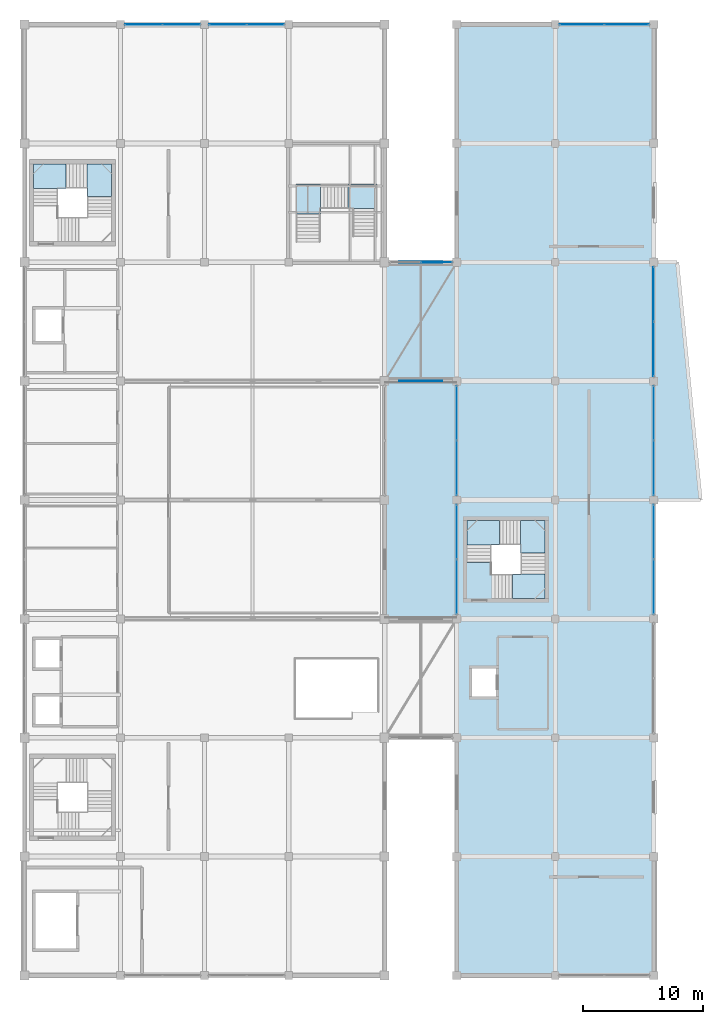
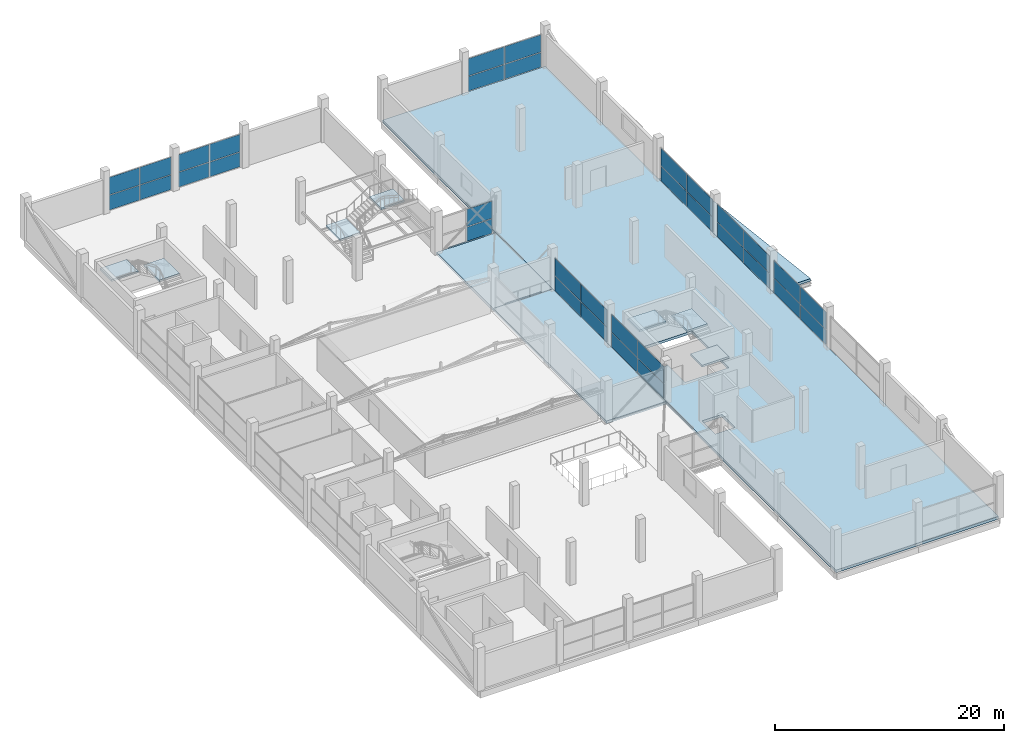
# One storey, part 53 of 69: 36 plates, 11 slabs, 12 elements without a shape of their own.
"""IFC4 building model written with IfcOpenShell, lengths in metres."""

import ifcopenshell
import ifcopenshell.guid

model = None  # the IFC model being written
_history = None  # IfcOwnerHistory: only IFC2X3 demands one
_inside = {}  # id of a spatial element -> (the spatial element, [elements in it])
_under = {}  # id of a project, library or spatial element -> (it, [spatial elements below it])
_declared = {}  # id of a project -> (the project, [libraries it declares])
_typed = {}  # id of a type object -> (the type object, [elements of that type])
_made_of = {}  # id of a material, layer set ... -> (it, [elements and type objects made of it])


def new_model(schema):
    """Start an empty IFC model of exactly this schema.

    Asked for "IFC4X3", IfcOpenShell would pick the latest addendum, in which some entities
    have other attributes; the version numbers below select the first issue.
    IFC2X3 requires an IfcOwnerHistory on every rooted entity: one is made here for all.
    """
    global model, _history
    if schema == "IFC4X3":
        model = ifcopenshell.file(schema_version=(4, 3, 0, 0))
    else:
        model = ifcopenshell.file(schema=schema)
    _inside.clear()
    _under.clear()
    _declared.clear()
    _typed.clear()
    _made_of.clear()
    _history = None
    if model.schema == "IFC2X3":
        org = make("IfcOrganization", Name="unknown")
        user = make(
            "IfcPersonAndOrganization",
            ThePerson=make("IfcPerson", FamilyName="unknown"),
            TheOrganization=org,
        )
        app = make(
            "IfcApplication",
            ApplicationDeveloper=org,
            Version="unknown",
            ApplicationFullName="unknown",
            ApplicationIdentifier="unknown",
        )
        _history = make(
            "IfcOwnerHistory",
            OwningUser=user,
            OwningApplication=app,
            ChangeAction="ADDED",
            CreationDate=0,
        )
    return model


def make(cls, **values):
    """One entity of the class cls with the attributes given. An attribute that is None is left unset."""
    return model.create_entity(
        cls, **{name: value for name, value in values.items() if value is not None}
    )


def rooted(cls, **values):
    """An entity with a GlobalId (a new one), such as an element, a storey or a relation."""
    return make(cls, GlobalId=ifcopenshell.guid.new(), OwnerHistory=_history, **values)


def si_unit(unit_type, name, prefix=None):
    """IfcSIUnit, for example si_unit("LENGTHUNIT", "METRE", prefix="MILLI")."""
    return make("IfcSIUnit", UnitType=unit_type, Prefix=prefix, Name=name)


def assignment(units):
    """IfcUnitAssignment: the units of a project."""
    return None if units is None else make("IfcUnitAssignment", Units=units)


def point(xyz):
    """IfcCartesianPoint."""
    return None if xyz is None else make("IfcCartesianPoint", Coordinates=xyz)


def direction(xyz):
    """IfcDirection."""
    return None if xyz is None else make("IfcDirection", DirectionRatios=xyz)


def frame(location, z_axis=None, x_axis=None):
    """IfcAxis2Placement3D, a coordinate frame: its origin and axes. An axis left out is left unset."""
    return make(
        "IfcAxis2Placement3D",
        Location=point(location),
        Axis=direction(z_axis),
        RefDirection=direction(x_axis),
    )


def frame_2d(location, x_axis=None):
    """IfcAxis2Placement2D, a coordinate frame in the plane: its origin and x axis."""
    return make(
        "IfcAxis2Placement2D", Location=point(location), RefDirection=direction(x_axis)
    )


def origin():
    """The frame at (0, 0, 0) with its axes left unset."""
    return frame((0.0, 0.0, 0.0))


def origin_2d():
    """The frame at (0, 0) in the plane with its x axis left unset."""
    return frame_2d((0.0, 0.0))


def place(relative_to, where):
    """IfcLocalPlacement: puts the frame where relative to a parent placement (None: the world)."""
    return make(
        "IfcLocalPlacement", PlacementRelTo=relative_to, RelativePlacement=where
    )


def context(
    kind, dimensions, precision=None, world=None, true_north=None, identifier=None
):
    """IfcGeometricRepresentationContext, for example the 3D "Model" context."""
    return make(
        "IfcGeometricRepresentationContext",
        ContextIdentifier=identifier,
        ContextType=kind,
        CoordinateSpaceDimension=dimensions,
        Precision=precision,
        WorldCoordinateSystem=world,
        TrueNorth=true_north,
    )


def subcontext(parent, identifier, kind, view, scale=None):
    """IfcGeometricRepresentationSubContext, for example "Body" below "Model"."""
    return make(
        "IfcGeometricRepresentationSubContext",
        ContextIdentifier=identifier,
        ContextType=kind,
        ParentContext=parent,
        TargetScale=scale,
        TargetView=view,
    )


def project(units=None, contexts=None):
    """IfcProject with its units and contexts."""
    return rooted(
        "IfcProject",
        Name="project",
        RepresentationContexts=contexts,
        UnitsInContext=assignment(units),
    )


def spatial(cls, under=None, at=None, **own):
    """A site, building, storey or space (cls), placed at a placement, below another one or the project."""
    s = rooted(cls, ObjectPlacement=at, **own)
    if under is not None:
        _under.setdefault(under.id(), (under, []))[1].append(s)
    return s


def polyline(points):
    """IfcPolyline through the points."""
    return make("IfcPolyline", Points=[point(p) for p in points])


def profile(cls, at=None, kind="AREA", **sizes):
    """A parametric profile (cls). Its sizes go by their IFC names, for example OverallWidth=200.0."""
    return make(cls, ProfileType=kind, Position=at, **sizes)


def rectangle(**sizes):
    """IfcRectangleProfileDef."""
    return profile("IfcRectangleProfileDef", **sizes)


def outline(outer, holes=None, kind="AREA"):
    """IfcArbitraryClosedProfileDef: a profile drawn as a closed curve; with holes, ...WithVoids."""
    if holes is None:
        return make("IfcArbitraryClosedProfileDef", ProfileType=kind, OuterCurve=outer)
    return make(
        "IfcArbitraryProfileDefWithVoids",
        ProfileType=kind,
        OuterCurve=outer,
        InnerCurves=holes,
    )


def extrude(swept, where, along, depth):
    """IfcExtrudedAreaSolid: the profile swept, set in the frame where, extruded along a direction by depth."""
    return make(
        "IfcExtrudedAreaSolid",
        SweptArea=swept,
        Position=where,
        ExtrudedDirection=direction(along),
        Depth=depth,
    )


def shape(context_of_items, identifier, shape_type, items):
    """IfcShapeRepresentation: the items that make up one representation, for example the "Body"."""
    return make(
        "IfcShapeRepresentation",
        ContextOfItems=context_of_items,
        RepresentationIdentifier=identifier,
        RepresentationType=shape_type,
        Items=items,
    )


def material(Name=None, Category=None):
    """IfcMaterial."""
    return make("IfcMaterial", Name=Name, Category=Category)


def layer(
    of_material, thickness, ventilated=None, Name=None, Category=None, Priority=None
):
    """IfcMaterialLayer: one layer of a wall or slab, of a material (None: an air gap)."""
    return make(
        "IfcMaterialLayer",
        Material=of_material,
        LayerThickness=thickness,
        IsVentilated=ventilated,
        Name=Name,
        Category=Category,
        Priority=Priority,
    )


def layer_set(layers, Name=None):
    """IfcMaterialLayerSet."""
    return make("IfcMaterialLayerSet", MaterialLayers=layers, LayerSetName=Name)


def made_of(thing, what):
    """Note that an element or type object is made of a material, layer set ...; save() writes the relation."""
    if what is not None:
        _made_of.setdefault(what.id(), (what, []))[1].append(thing)
    return thing


def type_object(cls, material=None, **own):
    """A type object (cls), such as IfcWallType, which elements share."""
    return made_of(rooted(cls, **own), material)


def element(
    cls,
    number,
    at=None,
    inside=None,
    cuts=None,
    type_object=None,
    material=None,
    context=None,
    identifier="Body",
    shape_type=None,
    held_by="IfcProductDefinitionShape",
    body=None,
    shapes=None,
    **own,
):
    """One element of the class cls, such as IfcWall. Its Tag is "e" and its number.

    at: its placement. inside: the storey or other place that contains it. cuts: it is an
    opening in that element (IfcRelVoidsElement). A single representation is given by context,
    identifier, shape_type and body (its items); several are given by shapes. held_by: the class
    of the entity that holds the representations. save() writes the other relations.
    """
    e = rooted(cls, Tag="e%d" % number, ObjectPlacement=at, **own)
    if body is not None:
        shapes = [shape(context, identifier, shape_type, body)]
    if shapes is not None:
        e.Representation = make(held_by, Representations=shapes)
    if inside is not None:
        _inside.setdefault(inside.id(), (inside, []))[1].append(e)
    if cuts is not None:
        rooted(
            "IfcRelVoidsElement", RelatingBuildingElement=cuts, RelatedOpeningElement=e
        )
    if type_object is not None:
        _typed.setdefault(type_object.id(), (type_object, []))[1].append(e)
    return made_of(e, material)


def aggregate(whole, parts):
    """IfcRelAggregates: a whole, such as a stair, and the parts it consists of."""
    return rooted("IfcRelAggregates", RelatingObject=whole, RelatedObjects=parts)


def save(model, path):
    """Write the relations noted so far, then the file.

    IfcRelAggregates (storeys below a building ...), IfcRelContainedInSpatialStructure (elements
    in a storey), IfcRelDefinesByType, IfcRelAssociatesMaterial and IfcRelDeclares: one each for
    every whole, place, type object, material and project.
    """
    for whole, parts in _under.values():
        aggregate(whole, parts)
    for where, things in _inside.values():
        rooted(
            "IfcRelContainedInSpatialStructure",
            RelatedElements=things,
            RelatingStructure=where,
        )
    for kind, things in _typed.values():
        rooted("IfcRelDefinesByType", RelatedObjects=things, RelatingType=kind)
    for what, things in _made_of.values():
        rooted("IfcRelAssociatesMaterial", RelatedObjects=things, RelatingMaterial=what)
    for by, libraries in _declared.values():
        rooted("IfcRelDeclares", RelatingContext=by, RelatedDefinitions=libraries)
    model.write(path)


model = new_model("IFC4")

# Units and contexts
model_context = context("Model", 3, precision=1e-05, world=origin(), true_north=direction((0.0, 1.0)))
body_context = subcontext(model_context, "Body", "Model", "MODEL_VIEW")
ifc_project = project(units=[si_unit("LENGTHUNIT", "METRE"), si_unit("AREAUNIT", "SQUARE_METRE"), si_unit("VOLUMEUNIT", "CUBIC_METRE"), si_unit("PLANEANGLEUNIT", "RADIAN"), si_unit("MASSUNIT", "GRAM", prefix="KILO")], contexts=[model_context])

# Site, building, storey
site_placement = place(None, origin())
site = spatial("IfcSite", under=ifc_project, at=site_placement, CompositionType="ELEMENT")
building_placement = place(site_placement, origin())
building = spatial("IfcBuilding", under=site, at=building_placement, Name="Sillaruma Civic Art Gallery", CompositionType="ELEMENT")
storey_placement = place(building_placement, frame((0.0, 0.0, 42.330078125)))
storey = spatial("IfcBuildingStorey", under=building, at=storey_placement, Name="L08", CompositionType="ELEMENT", Elevation=42.330078125)

# Plates
ifc_material_1 = material(Name="Anodised Zinc-Aluminium Alloy", Category="aluminium")
ifc_layer_1 = layer(ifc_material_1, 0.044921875, Name="Anodised Zinc-Aluminium Alloy")
ifc_layer_set_1 = layer_set([ifc_layer_1], Name="Anodised Zinc-Aluminium Alloy")
plate_type_1 = type_object("IfcPlateType", Name="PLT-FAS-01", PredefinedType="USERDEFINED", material=ifc_layer_set_1)
for number, where, z_axis, x_axis, name in (
    (1, (95.0, 69.300048828125, -0.47021484375), (0.0, 0.0, 1.0), (1.0, 0.0, 0.0), "Sky-Bridge Fascia Cassette (BRG-N:L08:S)"),
    (2, (95.0, 79.199951171875, -0.47021484375), (0.0, 0.0, 1.0), (1.0, 0.0, 0.0), "Sky-Bridge Fascia Cassette (BRG-N:L08:N)"),
):
    element("IfcPlate", number, at=place(storey_placement, frame(where, z_axis=z_axis, x_axis=x_axis)), inside=storey, type_object=plate_type_1, Name=name, ObjectType="FASCIA CASSETTE", PredefinedType="USERDEFINED", context=body_context, shape_type="SweptSolid", body=[
        extrude(rectangle(XDim=3.60009765625, YDim=0.044921875, at=origin_2d()), origin(), (0.0, 0.0, 1.0), 0.580078125),
    ])

# Curtain wall, plates
ifc_material_2 = material(Name="Thermally Broken Extruded Aluminium 6063-T6", Category="aluminium")
ifc_layer_2 = layer(ifc_material_2, 0.139892578125, Name="Thermally Broken Extruded Aluminium 6063-T6")
ifc_layer_set_2 = layer_set([ifc_layer_2], Name="Thermally Broken Extruded Aluminium 6063-T6")
curtain_wall_type_1 = type_object("IfcCurtainWallType", Name="CW-UNI-56", PredefinedType="NOTDEFINED", material=ifc_layer_set_2)
curtain_wall_1_placement = place(storey_placement, origin())
curtain_wall_1 = element("IfcCurtainWall", 3, at=curtain_wall_1_placement, inside=storey, type_object=curtain_wall_type_1, Name="Unitised Curtain Wall CW-56 (CW-L08-WBN-2)", PredefinedType="NOTDEFINED")
ifc_material_3 = material(Name="Low-E UV-Filtered Laminated Insulating Glass", Category="glass")
ifc_layer_3 = layer(ifc_material_3, 0.028076171875, Name="Low-E UV-Filtered Laminated Insulating Glass")
ifc_layer_set_3 = layer_set([ifc_layer_3], Name="Low-E UV-Filtered Laminated Insulating Glass")
plate_type_2 = type_object("IfcPlateType", Name="PNL-GLZ-28", PredefinedType="CURTAIN_PANEL", material=ifc_layer_set_3)
plate_1_placement = place(storey_placement, frame((71.927490234375, 99.0, 0.06005859375), z_axis=(0.0, 0.0, 1.0), x_axis=(1.0, 0.0, 0.0)))
plate_1 = element("IfcPlate", 4, at=plate_1_placement, type_object=plate_type_2, Name="CW-56 panel 1.1", PredefinedType="CURTAIN_PANEL", context=body_context, shape_type="SweptSolid", body=[
    extrude(rectangle(XDim=3.0849609375, YDim=0.028076171875, at=origin_2d()), origin(), (0.0, 0.0, 1.0), 1.561279296875),
])
plate_2_placement = place(storey_placement, frame((71.927490234375, 99.0, 1.681396484375), z_axis=(0.0, 0.0, 1.0), x_axis=(1.0, 0.0, 0.0)))
plate_2 = element("IfcPlate", 5, at=plate_2_placement, type_object=plate_type_2, Name="CW-56 panel 1.2", PredefinedType="CURTAIN_PANEL", context=body_context, shape_type="SweptSolid", body=[
    extrude(rectangle(XDim=3.0849609375, YDim=0.028076171875, at=origin_2d()), origin(), (0.0, 0.0, 1.0), 1.8486328125),
])
plate_3_placement = place(storey_placement, frame((75.072509765625, 99.0, 0.06005859375), z_axis=(0.0, 0.0, 1.0), x_axis=(1.0, 0.0, 0.0)))
plate_3 = element("IfcPlate", 6, at=plate_3_placement, type_object=plate_type_2, Name="CW-56 panel 2.1", PredefinedType="CURTAIN_PANEL", context=body_context, shape_type="SweptSolid", body=[
    extrude(rectangle(XDim=3.0849609375, YDim=0.028076171875, at=origin_2d()), origin(), (0.0, 0.0, 1.0), 1.561279296875),
])
plate_4_placement = place(storey_placement, frame((75.072509765625, 99.0, 1.681396484375), z_axis=(0.0, 0.0, 1.0), x_axis=(1.0, 0.0, 0.0)))
plate_4 = element("IfcPlate", 7, at=plate_4_placement, type_object=plate_type_2, Name="CW-56 panel 2.2", PredefinedType="CURTAIN_PANEL", context=body_context, shape_type="SweptSolid", body=[
    extrude(rectangle(XDim=3.0849609375, YDim=0.028076171875, at=origin_2d()), origin(), (0.0, 0.0, 1.0), 1.8486328125),
])
aggregate(curtain_wall_1, [plate_1, plate_2, plate_3, plate_4])

ifc_layer_4 = layer(ifc_material_2, 0.139892578125, Name="Thermally Broken Extruded Aluminium 6063-T6")
ifc_layer_set_4 = layer_set([ifc_layer_4], Name="Thermally Broken Extruded Aluminium 6063-T6")
curtain_wall_type_2 = type_object("IfcCurtainWallType", Name="CW-UNI-32", PredefinedType="NOTDEFINED", material=ifc_layer_set_4)
curtain_wall_2_placement = place(storey_placement, origin())
curtain_wall_2 = element("IfcCurtainWall", 8, at=curtain_wall_2_placement, inside=storey, type_object=curtain_wall_type_2, Name="Unitised Curtain Wall CW-32 (CW-L08-EBE-5)", PredefinedType="NOTDEFINED")
plate_5_placement = place(storey_placement, frame((114.39990234375, 62.06494140625, 0.06005859375), z_axis=(0.0, 0.0, 1.0), x_axis=(0.0, 1.0, 0.0)))
plate_5 = element("IfcPlate", 9, at=plate_5_placement, type_object=plate_type_2, Name="CW-32 panel 1.1", PredefinedType="CURTAIN_PANEL", context=body_context, shape_type="SweptSolid", body=[
    extrude(rectangle(XDim=4.510009765625, YDim=0.028076171875, at=origin_2d()), origin(), (0.0, 0.0, 1.0), 1.561279296875),
])
plate_6_placement = place(storey_placement, frame((114.39990234375, 62.06494140625, 1.681396484375), z_axis=(0.0, 0.0, 1.0), x_axis=(0.0, 1.0, 0.0)))
plate_6 = element("IfcPlate", 10, at=plate_6_placement, type_object=plate_type_2, Name="CW-32 panel 1.2", PredefinedType="CURTAIN_PANEL", context=body_context, shape_type="SweptSolid", body=[
    extrude(rectangle(XDim=4.510009765625, YDim=0.028076171875, at=origin_2d()), origin(), (0.0, 0.0, 1.0), 1.8486328125),
])
plate_7_placement = place(storey_placement, frame((114.39990234375, 66.635009765625, 0.06005859375), z_axis=(0.0, 0.0, 1.0), x_axis=(0.0, 1.0, 0.0)))
plate_7 = element("IfcPlate", 11, at=plate_7_placement, type_object=plate_type_2, Name="CW-32 panel 2.1", PredefinedType="CURTAIN_PANEL", context=body_context, shape_type="SweptSolid", body=[
    extrude(rectangle(XDim=4.510009765625, YDim=0.028076171875, at=origin_2d()), origin(), (0.0, 0.0, 1.0), 1.561279296875),
])
plate_8_placement = place(storey_placement, frame((114.39990234375, 66.635009765625, 1.681396484375), z_axis=(0.0, 0.0, 1.0), x_axis=(0.0, 1.0, 0.0)))
plate_8 = element("IfcPlate", 12, at=plate_8_placement, type_object=plate_type_2, Name="CW-32 panel 2.2", PredefinedType="CURTAIN_PANEL", context=body_context, shape_type="SweptSolid", body=[
    extrude(rectangle(XDim=4.510009765625, YDim=0.028076171875, at=origin_2d()), origin(), (0.0, 0.0, 1.0), 1.8486328125),
])
aggregate(curtain_wall_2, [plate_5, plate_6, plate_7, plate_8])

ifc_layer_5 = layer(ifc_material_2, 0.159912109375, Name="Thermally Broken Extruded Aluminium 6063-T6")
ifc_layer_set_5 = layer_set([ifc_layer_5], Name="Thermally Broken Extruded Aluminium 6063-T6")
curtain_wall_type_3 = type_object("IfcCurtainWallType", Name="CW-UNI-35", PredefinedType="NOTDEFINED", material=ifc_layer_set_5)
curtain_wall_3_placement = place(storey_placement, origin())
curtain_wall_3 = element("IfcCurtainWall", 13, at=curtain_wall_3_placement, inside=storey, type_object=curtain_wall_type_3, Name="Unitised Curtain Wall CW-35 (CW-L08-EBW-4)", PredefinedType="NOTDEFINED")
ifc_layer_6 = layer(ifc_material_3, 0.030029296875, Name="Low-E UV-Filtered Laminated Insulating Glass")
ifc_layer_set_6 = layer_set([ifc_layer_6], Name="Low-E UV-Filtered Laminated Insulating Glass")
plate_type_3 = type_object("IfcPlateType", Name="PNL-GLZ-30", PredefinedType="CURTAIN_PANEL", material=ifc_layer_set_6)
plate_9_placement = place(storey_placement, frame((98.0, 52.166259765625, 0.06005859375), z_axis=(0.0, 0.0, 1.0), x_axis=(0.0, 1.0, 0.0)))
plate_9 = element("IfcPlate", 14, at=plate_9_placement, type_object=plate_type_3, Name="CW-35 panel 1.1", PredefinedType="CURTAIN_PANEL", context=body_context, shape_type="SweptSolid", body=[
    extrude(rectangle(XDim=4.50244140625, YDim=0.030029296875, at=origin_2d()), origin(), (0.0, 0.0, 1.0), 1.561279296875),
])
plate_10_placement = place(storey_placement, frame((98.0, 52.166259765625, 1.681396484375), z_axis=(0.0, 0.0, 1.0), x_axis=(0.0, 1.0, 0.0)))
plate_10 = element("IfcPlate", 15, at=plate_10_placement, type_object=plate_type_3, Name="CW-35 panel 1.2", PredefinedType="CURTAIN_PANEL", context=body_context, shape_type="SweptSolid", body=[
    extrude(rectangle(XDim=4.50244140625, YDim=0.030029296875, at=origin_2d()), origin(), (0.0, 0.0, 1.0), 1.8486328125),
])
plate_11_placement = place(storey_placement, frame((98.0, 56.733642578125, 0.06005859375), z_axis=(0.0, 0.0, 1.0), x_axis=(0.0, 1.0, 0.0)))
plate_11 = element("IfcPlate", 16, at=plate_11_placement, type_object=plate_type_3, Name="CW-35 panel 2.1", PredefinedType="CURTAIN_PANEL", context=body_context, shape_type="SweptSolid", body=[
    extrude(rectangle(XDim=4.50244140625, YDim=0.030029296875, at=origin_2d()), origin(), (0.0, 0.0, 1.0), 1.561279296875),
])
plate_12_placement = place(storey_placement, frame((98.0, 56.733642578125, 1.681396484375), z_axis=(0.0, 0.0, 1.0), x_axis=(0.0, 1.0, 0.0)))
plate_12 = element("IfcPlate", 17, at=plate_12_placement, type_object=plate_type_3, Name="CW-35 panel 2.2", PredefinedType="CURTAIN_PANEL", context=body_context, shape_type="SweptSolid", body=[
    extrude(rectangle(XDim=4.50244140625, YDim=0.030029296875, at=origin_2d()), origin(), (0.0, 0.0, 1.0), 1.8486328125),
])
aggregate(curtain_wall_3, [plate_9, plate_10, plate_11, plate_12])

ifc_layer_7 = layer(ifc_material_2, 0.159912109375, Name="Thermally Broken Extruded Aluminium 6063-T6")
ifc_layer_set_7 = layer_set([ifc_layer_7], Name="Thermally Broken Extruded Aluminium 6063-T6")
curtain_wall_type_4 = type_object("IfcCurtainWallType", Name="CW-UNI-30", PredefinedType="NOTDEFINED", material=ifc_layer_set_7)
curtain_wall_4_placement = place(storey_placement, origin())
curtain_wall_4 = element("IfcCurtainWall", 18, at=curtain_wall_4_placement, inside=storey, type_object=curtain_wall_type_4, Name="Unitised Curtain Wall CW-30 (CW-L08-EBE-4)", PredefinedType="NOTDEFINED")
ifc_layer_8 = layer(ifc_material_3, 0.031982421875, Name="Low-E UV-Filtered Laminated Insulating Glass")
ifc_layer_set_8 = layer_set([ifc_layer_8], Name="Low-E UV-Filtered Laminated Insulating Glass")
plate_type_4 = type_object("IfcPlateType", Name="PNL-GLZ-32", PredefinedType="CURTAIN_PANEL", material=ifc_layer_set_8)
plate_13_placement = place(storey_placement, frame((114.39990234375, 52.166259765625, 0.06494140625), z_axis=(0.0, 0.0, 1.0), x_axis=(0.0, 1.0, 0.0)))
plate_13 = element("IfcPlate", 19, at=plate_13_placement, type_object=plate_type_4, Name="CW-30 panel 1.1", PredefinedType="CURTAIN_PANEL", context=body_context, shape_type="SweptSolid", body=[
    extrude(rectangle(XDim=4.50244140625, YDim=0.031982421875, at=origin_2d()), origin(), (0.0, 0.0, 1.0), 1.553955078125),
])
plate_14_placement = place(storey_placement, frame((114.39990234375, 52.166259765625, 1.68408203125), z_axis=(0.0, 0.0, 1.0), x_axis=(0.0, 1.0, 0.0)))
plate_14 = element("IfcPlate", 20, at=plate_14_placement, type_object=plate_type_4, Name="CW-30 panel 1.2", PredefinedType="CURTAIN_PANEL", context=body_context, shape_type="SweptSolid", body=[
    extrude(rectangle(XDim=4.50244140625, YDim=0.031982421875, at=origin_2d()), origin(), (0.0, 0.0, 1.0), 1.841064453125),
])
plate_15_placement = place(storey_placement, frame((114.39990234375, 56.733642578125, 0.06494140625), z_axis=(0.0, 0.0, 1.0), x_axis=(0.0, 1.0, 0.0)))
plate_15 = element("IfcPlate", 21, at=plate_15_placement, type_object=plate_type_4, Name="CW-30 panel 2.1", PredefinedType="CURTAIN_PANEL", context=body_context, shape_type="SweptSolid", body=[
    extrude(rectangle(XDim=4.50244140625, YDim=0.031982421875, at=origin_2d()), origin(), (0.0, 0.0, 1.0), 1.553955078125),
])
plate_16_placement = place(storey_placement, frame((114.39990234375, 56.733642578125, 1.68408203125), z_axis=(0.0, 0.0, 1.0), x_axis=(0.0, 1.0, 0.0)))
plate_16 = element("IfcPlate", 22, at=plate_16_placement, type_object=plate_type_4, Name="CW-30 panel 2.2", PredefinedType="CURTAIN_PANEL", context=body_context, shape_type="SweptSolid", body=[
    extrude(rectangle(XDim=4.50244140625, YDim=0.031982421875, at=origin_2d()), origin(), (0.0, 0.0, 1.0), 1.841064453125),
])
aggregate(curtain_wall_4, [plate_13, plate_14, plate_15, plate_16])

ifc_layer_9 = layer(ifc_material_2, 0.139892578125, Name="Thermally Broken Extruded Aluminium 6063-T6")
ifc_layer_set_9 = layer_set([ifc_layer_9], Name="Thermally Broken Extruded Aluminium 6063-T6")
curtain_wall_type_5 = type_object("IfcCurtainWallType", Name="CW-UNI-40", PredefinedType="NOTDEFINED", material=ifc_layer_set_9)
curtain_wall_5_placement = place(storey_placement, origin())
curtain_wall_5 = element("IfcCurtainWall", 23, at=curtain_wall_5_placement, inside=storey, type_object=curtain_wall_type_5, Name="Unitised Curtain Wall CW-40 (CW-L08-EBW-5)", PredefinedType="NOTDEFINED")
ifc_layer_10 = layer(ifc_material_3, 0.033935546875, Name="Low-E UV-Filtered Laminated Insulating Glass")
ifc_layer_set_10 = layer_set([ifc_layer_10], Name="Low-E UV-Filtered Laminated Insulating Glass")
plate_type_5 = type_object("IfcPlateType", Name="PNL-GLZ-34", PredefinedType="CURTAIN_PANEL", material=ifc_layer_set_10)
plate_17_placement = place(storey_placement, frame((98.0, 62.06494140625, 0.06494140625), z_axis=(0.0, 0.0, 1.0), x_axis=(0.0, 1.0, 0.0)))
plate_17 = element("IfcPlate", 24, at=plate_17_placement, type_object=plate_type_5, Name="CW-40 panel 1.1", PredefinedType="CURTAIN_PANEL", context=body_context, shape_type="SweptSolid", body=[
    extrude(rectangle(XDim=4.510009765625, YDim=0.033935546875, at=origin_2d()), origin(), (0.0, 0.0, 1.0), 1.553955078125),
])
plate_18_placement = place(storey_placement, frame((98.0, 62.06494140625, 1.68408203125), z_axis=(0.0, 0.0, 1.0), x_axis=(0.0, 1.0, 0.0)))
plate_18 = element("IfcPlate", 25, at=plate_18_placement, type_object=plate_type_5, Name="CW-40 panel 1.2", PredefinedType="CURTAIN_PANEL", context=body_context, shape_type="SweptSolid", body=[
    extrude(rectangle(XDim=4.510009765625, YDim=0.033935546875, at=origin_2d()), origin(), (0.0, 0.0, 1.0), 1.841064453125),
])
plate_19_placement = place(storey_placement, frame((98.0, 66.635009765625, 0.06494140625), z_axis=(0.0, 0.0, 1.0), x_axis=(0.0, 1.0, 0.0)))
plate_19 = element("IfcPlate", 26, at=plate_19_placement, type_object=plate_type_5, Name="CW-40 panel 2.1", PredefinedType="CURTAIN_PANEL", context=body_context, shape_type="SweptSolid", body=[
    extrude(rectangle(XDim=4.510009765625, YDim=0.033935546875, at=origin_2d()), origin(), (0.0, 0.0, 1.0), 1.553955078125),
])
plate_20_placement = place(storey_placement, frame((98.0, 66.635009765625, 1.68408203125), z_axis=(0.0, 0.0, 1.0), x_axis=(0.0, 1.0, 0.0)))
plate_20 = element("IfcPlate", 27, at=plate_20_placement, type_object=plate_type_5, Name="CW-40 panel 2.2", PredefinedType="CURTAIN_PANEL", context=body_context, shape_type="SweptSolid", body=[
    extrude(rectangle(XDim=4.510009765625, YDim=0.033935546875, at=origin_2d()), origin(), (0.0, 0.0, 1.0), 1.841064453125),
])
aggregate(curtain_wall_5, [plate_17, plate_18, plate_19, plate_20])

# Curtain wall, plate
ifc_layer_11 = layer(ifc_material_2, 0.179931640625, Name="Thermally Broken Extruded Aluminium 6063-T6")
ifc_layer_set_11 = layer_set([ifc_layer_11], Name="Thermally Broken Extruded Aluminium 6063-T6")
curtain_wall_type_6 = type_object("IfcCurtainWallType", Name="CW-UNI-60", PredefinedType="NOTDEFINED", material=ifc_layer_set_11)
curtain_wall_6_placement = place(storey_placement, origin())
curtain_wall_6 = element("IfcCurtainWall", 28, at=curtain_wall_6_placement, inside=storey, type_object=curtain_wall_type_6, Name="Unitised Curtain Wall CW-60 (CW-BRG-N-L08-N)", PredefinedType="NOTDEFINED")
ifc_layer_12 = layer(ifc_material_3, 0.035888671875, Name="Low-E UV-Filtered Laminated Insulating Glass")
ifc_layer_set_12 = layer_set([ifc_layer_12], Name="Low-E UV-Filtered Laminated Insulating Glass")
plate_type_6 = type_object("IfcPlateType", Name="PNL-GLZ-36", PredefinedType="CURTAIN_PANEL", material=ifc_layer_set_12)
plate_21_placement = place(storey_placement, frame((96.313720703125, 79.199951171875, 0.06982421875), z_axis=(0.0, 0.0, 1.0), x_axis=(1.0, 0.0, 0.0)))
plate_21 = element("IfcPlate", 29, at=plate_21_placement, type_object=plate_type_6, Name="CW-60 panel 2.1", PredefinedType="CURTAIN_PANEL", context=body_context, shape_type="SweptSolid", body=[
    extrude(rectangle(XDim=2.532470703125, YDim=0.035888671875, at=origin_2d()), origin(), (0.0, 0.0, 1.0), 1.54638671875),
])

# Curtain wall, plates
ifc_layer_13 = layer(ifc_material_2, 0.179931640625, Name="Thermally Broken Extruded Aluminium 6063-T6")
ifc_layer_set_13 = layer_set([ifc_layer_13], Name="Thermally Broken Extruded Aluminium 6063-T6")
curtain_wall_type_7 = type_object("IfcCurtainWallType", Name="CW-UNI-57", PredefinedType="NOTDEFINED", material=ifc_layer_set_13)
curtain_wall_7_placement = place(storey_placement, origin())
curtain_wall_7 = element("IfcCurtainWall", 30, at=curtain_wall_7_placement, inside=storey, type_object=curtain_wall_type_7, Name="Unitised Curtain Wall CW-57 (CW-L08-WBN-3)", PredefinedType="NOTDEFINED")
ifc_layer_14 = layer(ifc_material_3, 0.0400390625, Name="Low-E UV-Filtered Laminated Insulating Glass")
ifc_layer_set_14 = layer_set([ifc_layer_14], Name="Low-E UV-Filtered Laminated Insulating Glass")
plate_type_7 = type_object("IfcPlateType", Name="PNL-GLZ-40", PredefinedType="CURTAIN_PANEL", material=ifc_layer_set_14)
plate_22_placement = place(storey_placement, frame((78.929931640625, 99.0, 0.06494140625), z_axis=(0.0, 0.0, 1.0), x_axis=(1.0, 0.0, 0.0)))
plate_22 = element("IfcPlate", 31, at=plate_22_placement, type_object=plate_type_7, Name="CW-57 panel 1.1", PredefinedType="CURTAIN_PANEL", context=body_context, shape_type="SweptSolid", body=[
    extrude(rectangle(XDim=3.070068359375, YDim=0.0400390625, at=origin_2d()), origin(), (0.0, 0.0, 1.0), 1.553955078125),
])
plate_23_placement = place(storey_placement, frame((78.929931640625, 99.0, 1.68408203125), z_axis=(0.0, 0.0, 1.0), x_axis=(1.0, 0.0, 0.0)))
plate_23 = element("IfcPlate", 32, at=plate_23_placement, type_object=plate_type_7, Name="CW-57 panel 1.2", PredefinedType="CURTAIN_PANEL", context=body_context, shape_type="SweptSolid", body=[
    extrude(rectangle(XDim=3.070068359375, YDim=0.0400390625, at=origin_2d()), origin(), (0.0, 0.0, 1.0), 1.841064453125),
])
plate_24_placement = place(storey_placement, frame((82.070068359375, 99.0, 0.06494140625), z_axis=(0.0, 0.0, 1.0), x_axis=(1.0, 0.0, 0.0)))
plate_24 = element("IfcPlate", 33, at=plate_24_placement, type_object=plate_type_7, Name="CW-57 panel 2.1", PredefinedType="CURTAIN_PANEL", context=body_context, shape_type="SweptSolid", body=[
    extrude(rectangle(XDim=3.070068359375, YDim=0.0400390625, at=origin_2d()), origin(), (0.0, 0.0, 1.0), 1.553955078125),
])
plate_25_placement = place(storey_placement, frame((82.070068359375, 99.0, 1.68408203125), z_axis=(0.0, 0.0, 1.0), x_axis=(1.0, 0.0, 0.0)))
plate_25 = element("IfcPlate", 34, at=plate_25_placement, type_object=plate_type_7, Name="CW-57 panel 2.2", PredefinedType="CURTAIN_PANEL", context=body_context, shape_type="SweptSolid", body=[
    extrude(rectangle(XDim=3.070068359375, YDim=0.0400390625, at=origin_2d()), origin(), (0.0, 0.0, 1.0), 1.841064453125),
])
aggregate(curtain_wall_7, [plate_22, plate_23, plate_24, plate_25])

ifc_layer_15 = layer(ifc_material_2, 0.179931640625, Name="Thermally Broken Extruded Aluminium 6063-T6")
ifc_layer_set_15 = layer_set([ifc_layer_15], Name="Thermally Broken Extruded Aluminium 6063-T6")
curtain_wall_type_8 = type_object("IfcCurtainWallType", Name="CW-UNI-34", PredefinedType="NOTDEFINED", material=ifc_layer_set_15)
curtain_wall_8_placement = place(storey_placement, origin())
curtain_wall_8 = element("IfcCurtainWall", 35, at=curtain_wall_8_placement, inside=storey, type_object=curtain_wall_type_8, Name="Unitised Curtain Wall CW-34 (CW-L08-EBE-6)", PredefinedType="NOTDEFINED")
plate_26_placement = place(storey_placement, frame((114.39990234375, 71.967529296875, 0.06494140625), z_axis=(0.0, 0.0, 1.0), x_axis=(0.0, 1.0, 0.0)))
plate_26 = element("IfcPlate", 36, at=plate_26_placement, type_object=plate_type_7, Name="CW-34 panel 1.1", PredefinedType="CURTAIN_PANEL", context=body_context, shape_type="SweptSolid", body=[
    extrude(rectangle(XDim=4.4951171875, YDim=0.0400390625, at=origin_2d()), origin(), (0.0, 0.0, 1.0), 1.553955078125),
])
plate_27_placement = place(storey_placement, frame((114.39990234375, 71.967529296875, 1.68408203125), z_axis=(0.0, 0.0, 1.0), x_axis=(0.0, 1.0, 0.0)))
plate_27 = element("IfcPlate", 37, at=plate_27_placement, type_object=plate_type_7, Name="CW-34 panel 1.2", PredefinedType="CURTAIN_PANEL", context=body_context, shape_type="SweptSolid", body=[
    extrude(rectangle(XDim=4.4951171875, YDim=0.0400390625, at=origin_2d()), origin(), (0.0, 0.0, 1.0), 1.841064453125),
])
plate_28_placement = place(storey_placement, frame((114.39990234375, 76.532470703125, 0.06494140625), z_axis=(0.0, 0.0, 1.0), x_axis=(0.0, 1.0, 0.0)))
plate_28 = element("IfcPlate", 38, at=plate_28_placement, type_object=plate_type_7, Name="CW-34 panel 2.1", PredefinedType="CURTAIN_PANEL", context=body_context, shape_type="SweptSolid", body=[
    extrude(rectangle(XDim=4.4951171875, YDim=0.0400390625, at=origin_2d()), origin(), (0.0, 0.0, 1.0), 1.553955078125),
])
plate_29_placement = place(storey_placement, frame((114.39990234375, 76.532470703125, 1.68408203125), z_axis=(0.0, 0.0, 1.0), x_axis=(0.0, 1.0, 0.0)))
plate_29 = element("IfcPlate", 39, at=plate_29_placement, type_object=plate_type_7, Name="CW-34 panel 2.2", PredefinedType="CURTAIN_PANEL", context=body_context, shape_type="SweptSolid", body=[
    extrude(rectangle(XDim=4.4951171875, YDim=0.0400390625, at=origin_2d()), origin(), (0.0, 0.0, 1.0), 1.841064453125),
])
aggregate(curtain_wall_8, [plate_26, plate_27, plate_28, plate_29])

ifc_layer_16 = layer(ifc_material_2, 0.179931640625, Name="Thermally Broken Extruded Aluminium 6063-T6")
ifc_layer_set_16 = layer_set([ifc_layer_16], Name="Thermally Broken Extruded Aluminium 6063-T6")
curtain_wall_type_9 = type_object("IfcCurtainWallType", Name="CW-UNI-59", PredefinedType="NOTDEFINED", material=ifc_layer_set_16)
curtain_wall_9_placement = place(storey_placement, origin())
curtain_wall_9 = element("IfcCurtainWall", 40, at=curtain_wall_9_placement, inside=storey, type_object=curtain_wall_type_9, Name="Unitised Curtain Wall CW-59 (CW-L08-EBN-2)", PredefinedType="NOTDEFINED")
plate_30_placement = place(storey_placement, frame((108.423828125, 99.0, 0.06494140625), z_axis=(0.0, 0.0, 1.0), x_axis=(1.0, 0.0, 0.0)))
plate_30 = element("IfcPlate", 41, at=plate_30_placement, type_object=plate_type_7, Name="CW-59 panel 1.1", PredefinedType="CURTAIN_PANEL", context=body_context, shape_type="SweptSolid", body=[
    extrude(rectangle(XDim=3.657470703125, YDim=0.0400390625, at=origin_2d()), origin(), (0.0, 0.0, 1.0), 1.553955078125),
])
plate_31_placement = place(storey_placement, frame((108.423828125, 99.0, 1.68408203125), z_axis=(0.0, 0.0, 1.0), x_axis=(1.0, 0.0, 0.0)))
plate_31 = element("IfcPlate", 42, at=plate_31_placement, type_object=plate_type_7, Name="CW-59 panel 1.2", PredefinedType="CURTAIN_PANEL", context=body_context, shape_type="SweptSolid", body=[
    extrude(rectangle(XDim=3.657470703125, YDim=0.0400390625, at=origin_2d()), origin(), (0.0, 0.0, 1.0), 1.841064453125),
])
plate_32_placement = place(storey_placement, frame((112.1513671875, 99.0, 0.06494140625), z_axis=(0.0, 0.0, 1.0), x_axis=(1.0, 0.0, 0.0)))
plate_32 = element("IfcPlate", 43, at=plate_32_placement, type_object=plate_type_7, Name="CW-59 panel 2.1", PredefinedType="CURTAIN_PANEL", context=body_context, shape_type="SweptSolid", body=[
    extrude(rectangle(XDim=3.657470703125, YDim=0.0400390625, at=origin_2d()), origin(), (0.0, 0.0, 1.0), 1.553955078125),
])
plate_33_placement = place(storey_placement, frame((112.1513671875, 99.0, 1.68408203125), z_axis=(0.0, 0.0, 1.0), x_axis=(1.0, 0.0, 0.0)))
plate_33 = element("IfcPlate", 44, at=plate_33_placement, type_object=plate_type_7, Name="CW-59 panel 2.2", PredefinedType="CURTAIN_PANEL", context=body_context, shape_type="SweptSolid", body=[
    extrude(rectangle(XDim=3.657470703125, YDim=0.0400390625, at=origin_2d()), origin(), (0.0, 0.0, 1.0), 1.841064453125),
])
aggregate(curtain_wall_9, [plate_30, plate_31, plate_32, plate_33])

# Plate
ifc_layer_17 = layer(ifc_material_1, 0.035888671875, Name="Anodised Zinc-Aluminium Alloy")
ifc_layer_set_17 = layer_set([ifc_layer_17], Name="Anodised Zinc-Aluminium Alloy")
plate_type_8 = type_object("IfcPlateType", Name="PNL-SPD-36", PredefinedType="CURTAIN_PANEL", material=ifc_layer_set_17)
plate_34_placement = place(storey_placement, frame((96.313720703125, 79.199951171875, 1.686279296875), z_axis=(0.0, 0.0, 1.0), x_axis=(1.0, 0.0, 0.0)))
plate_34 = element("IfcPlate", 45, at=plate_34_placement, type_object=plate_type_8, Name="CW-60 panel 2.2", PredefinedType="CURTAIN_PANEL", context=body_context, shape_type="SweptSolid", body=[
    extrude(rectangle(XDim=2.532470703125, YDim=0.035888671875, at=origin_2d()), origin(), (0.0, 0.0, 1.0), 1.83349609375),
])

aggregate(curtain_wall_6, [plate_21, plate_34])

# Slabs
ifc_material_4 = material(Name="Concrete H35 (35 MPa)", Category="concrete")
ifc_layer_18 = layer(ifc_material_4, 0.280029296875, Name="Concrete H35 (35 MPa)")
ifc_layer_set_18 = layer_set([ifc_layer_18], Name="Concrete H35 (35 MPa)")
slab_type_1 = type_object("IfcSlabType", Name="SLB-EXT-280", PredefinedType="FLOOR", material=ifc_layer_set_18)
slab_1_placement = place(storey_placement, frame((0.0, 0.0, -0.280029296875)))
element("IfcSlab", 46, at=slab_1_placement, inside=storey, type_object=slab_type_1, Name="L08 Sky Canyon Sculpture Terrace (SLB-L08-TER-CM)", PredefinedType="FLOOR", context=body_context, shape_type="SweptSolid", body=[
    extrude(outline(polyline([(92.0, 49.5), (98.0, 49.5), (98.0, 69.300048828125), (92.0, 69.300048828125), (92.0, 49.5)])), origin(), (0.0, 0.0, 1.0), 0.280029296875),
])
ifc_layer_19 = layer(ifc_material_4, 0.280029296875, Name="Concrete H35 (35 MPa)")
ifc_layer_set_19 = layer_set([ifc_layer_19], Name="Concrete H35 (35 MPa)")
slab_type_2 = type_object("IfcSlabType", Name="SLB-FLR-280", PredefinedType="FLOOR", material=ifc_layer_set_19)
slab_2_placement = place(storey_placement, frame((0.0, 0.0, -0.280029296875)))
element("IfcSlab", 47, at=slab_2_placement, inside=storey, type_object=slab_type_2, Name="Floor Slab SF-280 (SLB-L08-EAST)", PredefinedType="FLOOR", context=body_context, shape_type="SweptSolid", body=[
    extrude(outline(polyline([(98.0, 19.800048828125), (114.39990234375, 19.800048828125), (114.39990234375, 99.0), (98.0, 99.0), (98.0, 19.800048828125)]), holes=[polyline([(100.9150390625, 51.2099609375), (105.340087890625, 51.2099609375), (105.340087890625, 57.68994140625), (98.860107421875, 57.68994140625), (98.860107421875, 54.215087890625), (100.9150390625, 54.215087890625), (100.9150390625, 51.2099609375)]), polyline([(99.25, 43.050048828125), (101.25, 43.050048828125), (101.25, 45.35009765625), (99.25, 45.35009765625), (99.25, 43.050048828125)])]), origin(), (0.0, 0.0, 1.0), 0.280029296875),
])
slab_3_placement = place(storey_placement, frame((0.0, 0.0, -0.280029296875)))
element("IfcSlab", 48, at=slab_3_placement, inside=storey, type_object=slab_type_2, Name="Floor Slab SF-280 (SLB-L08-BRGN)", PredefinedType="FLOOR", context=body_context, shape_type="SweptSolid", body=[
    extrude(outline(polyline([(92.0, 69.300048828125), (98.0, 69.300048828125), (98.0, 79.199951171875), (92.0, 79.199951171875), (92.0, 69.300048828125)])), origin(), (0.0, 0.0, 1.0), 0.280029296875),
])

# Stair, slabs
stair_type_1 = type_object("IfcStairType", Name="STR-3F-27", PredefinedType="TWO_QUARTER_TURN_STAIR", material=ifc_material_4)
stair_1_placement = place(storey_placement, origin())
stair_1 = element("IfcStair", 49, at=stair_1_placement, inside=storey, type_object=stair_type_1, Name="Monumental Gallery Feature Stair ST-G05 (L08)", PredefinedType="TWO_QUARTER_TURN_STAIR")
ifc_layer_20 = layer(ifc_material_4, 0.18505859375, Name="Concrete H35 (35 MPa)")
ifc_layer_set_20 = layer_set([ifc_layer_20], Name="Concrete H35 (35 MPa)")
slab_type_3 = type_object("IfcSlabType", Name="SLB-LND-185", PredefinedType="LANDING", material=ifc_layer_set_20)
slab_4_placement = place(storey_placement, frame((0.0, 0.0, 1.344970703125)))
slab_4 = element("IfcSlab", 50, at=slab_4_placement, type_object=slab_type_3, Name="ST-G05 landing 1", PredefinedType="LANDING", context=body_context, shape_type="SweptSolid", body=[
    extrude(outline(polyline([(84.60009765625, 83.219970703125), (86.639892578125, 83.219970703125), (86.639892578125, 85.699951171875), (84.60009765625, 85.699951171875), (84.60009765625, 83.219970703125)])), origin(), (0.0, 0.0, 1.0), 0.18505859375),
])
slab_5_placement = place(storey_placement, frame((0.0, 0.0, 2.875)))
slab_5 = element("IfcSlab", 51, at=slab_5_placement, type_object=slab_type_3, Name="ST-G05 landing 2", PredefinedType="LANDING", context=body_context, shape_type="SweptSolid", body=[
    extrude(outline(polyline([(88.9599609375, 83.659912109375), (91.360107421875, 83.659912109375), (91.360107421875, 85.699951171875), (88.9599609375, 85.699951171875), (88.9599609375, 83.659912109375)])), origin(), (0.0, 0.0, 1.0), 0.184814453125),
])
aggregate(stair_1, [slab_4, slab_5])

stair_type_2 = type_object("IfcStairType", Name="STR-4F-27", PredefinedType="USERDEFINED", material=ifc_material_4)
stair_2_placement = place(storey_placement, origin())
stair_2 = element("IfcStair", 52, at=stair_2_placement, inside=storey, type_object=stair_type_2, Name="Protected Exit Stair ST-02 (West Bar North) (L08)", ObjectType="THREE_RETURN_STAIR", PredefinedType="USERDEFINED")
ifc_layer_21 = layer(ifc_material_4, 0.199951171875, Name="Concrete H35 (35 MPa)")
ifc_layer_set_21 = layer_set([ifc_layer_21], Name="Concrete H35 (35 MPa)")
slab_type_4 = type_object("IfcSlabType", Name="SLB-LND-200", PredefinedType="LANDING", material=ifc_layer_set_21)
slab_6_placement = place(storey_placement, frame((0.0, 0.0, 2.179931640625)))
slab_6 = element("IfcSlab", 53, at=slab_6_placement, type_object=slab_type_4, Name="ST-02 landing 2", PredefinedType="LANDING", context=body_context, shape_type="SweptSolid", body=[
    extrude(outline(polyline([(67.199951171875, 84.68994140625), (69.239990234375, 84.68994140625), (69.239990234375, 87.389892578125), (67.199951171875, 87.389892578125), (67.199951171875, 84.68994140625)])), origin(), (0.0, 0.0, 1.0), 0.199951171875),
])
slab_7_placement = place(storey_placement, frame((0.0, 0.0, 3.369873046875)))
slab_7 = element("IfcSlab", 54, at=slab_7_placement, type_object=slab_type_4, Name="ST-02 landing 3", PredefinedType="LANDING", context=body_context, shape_type="SweptSolid", body=[
    extrude(outline(polyline([(62.760009765625, 85.35009765625), (65.4599609375, 85.35009765625), (65.4599609375, 87.389892578125), (62.760009765625, 87.389892578125), (62.760009765625, 85.35009765625)])), origin(), (0.0, 0.0, 1.0), 0.199951171875),
])
aggregate(stair_2, [slab_6, slab_7])

stair_3_placement = place(storey_placement, origin())
stair_3 = element("IfcStair", 55, at=stair_3_placement, inside=storey, type_object=stair_type_2, Name="Protected Exit Stair ST-04 (East Bar) (L08)", ObjectType="THREE_RETURN_STAIR", PredefinedType="USERDEFINED")
slab_8_placement = place(storey_placement, frame((0.0, 0.0, 0.989990234375)))
slab_8 = element("IfcSlab", 56, at=slab_8_placement, type_object=slab_type_4, Name="ST-04 landing 1", PredefinedType="LANDING", context=body_context, shape_type="SweptSolid", body=[
    extrude(outline(polyline([(102.639892578125, 51.2099609375), (105.340087890625, 51.2099609375), (105.340087890625, 53.25), (102.639892578125, 53.25), (102.639892578125, 51.2099609375)])), origin(), (0.0, 0.0, 1.0), 0.199951171875),
])
slab_9_placement = place(storey_placement, frame((0.0, 0.0, 2.179931640625)))
slab_9 = element("IfcSlab", 57, at=slab_9_placement, type_object=slab_type_4, Name="ST-04 landing 2", PredefinedType="LANDING", context=body_context, shape_type="SweptSolid", body=[
    extrude(outline(polyline([(103.300048828125, 54.989990234375), (105.340087890625, 54.989990234375), (105.340087890625, 57.68994140625), (103.300048828125, 57.68994140625), (103.300048828125, 54.989990234375)])), origin(), (0.0, 0.0, 1.0), 0.199951171875),
])
slab_10_placement = place(storey_placement, frame((0.0, 0.0, 3.369873046875)))
slab_10 = element("IfcSlab", 58, at=slab_10_placement, type_object=slab_type_4, Name="ST-04 landing 3", PredefinedType="LANDING", context=body_context, shape_type="SweptSolid", body=[
    extrude(outline(polyline([(98.860107421875, 55.64990234375), (101.56005859375, 55.64990234375), (101.56005859375, 57.68994140625), (98.860107421875, 57.68994140625), (98.860107421875, 55.64990234375)])), origin(), (0.0, 0.0, 1.0), 0.199951171875),
])
aggregate(stair_3, [slab_8, slab_9, slab_10])

# Slab
ifc_layer_22 = layer(ifc_material_4, 0.280029296875, Name="Concrete H35 (35 MPa)")
ifc_layer_set_22 = layer_set([ifc_layer_22], Name="Concrete H35 (35 MPa)")
slab_type_5 = type_object("IfcSlabType", Name="SLB-ROOF-280", PredefinedType="ROOF", material=ifc_layer_set_22)
slab_11_placement = place(storey_placement, frame((0.0, 0.0, -0.280029296875)))
element("IfcSlab", 59, at=slab_11_placement, inside=storey, type_object=slab_type_5, Name="Roof Slab SR-280 (ROOF-L08-PRWE)", PredefinedType="ROOF", context=body_context, shape_type="SweptSolid", body=[
    extrude(outline(polyline([(114.39990234375, 59.39990234375), (118.300048828125, 59.39990234375), (116.35009765625, 79.199951171875), (114.39990234375, 79.199951171875), (114.39990234375, 59.39990234375)])), origin(), (0.0, 0.0, 1.0), 0.280029296875),
])

save(model, "model.ifc")
